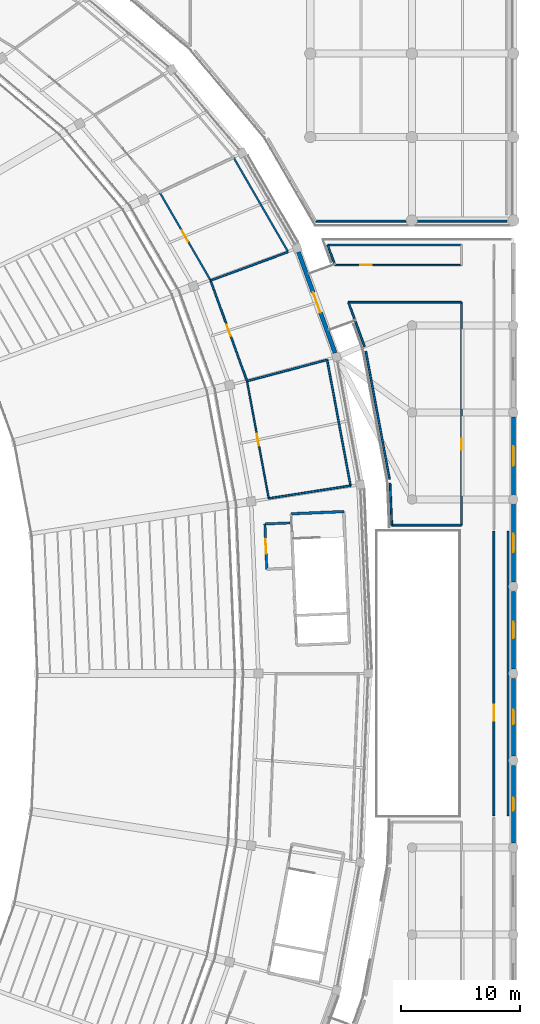
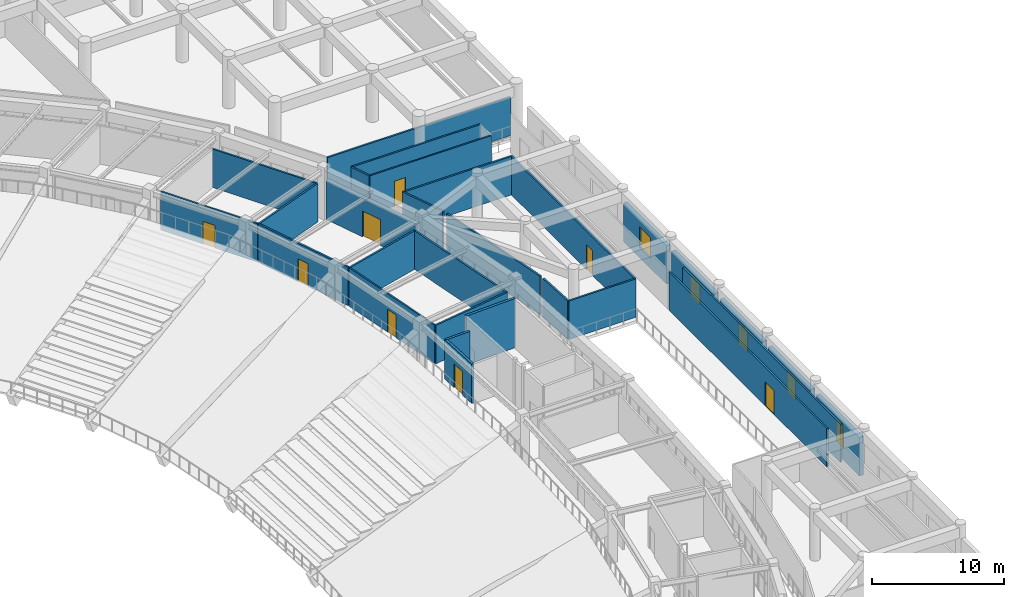
# One storey, part 100 of 137: 29 walls, 8 doors, 5 windows, 13 openings.
"""IFC4 building model written with IfcOpenShell, lengths in metres."""

from ifc_helpers import new_model, si_unit, direction, frame, frame_2d, origin, place, context, subcontext, project, spatial, rectangle, extrude, material, layer, layer_set, type_object, element, fill, save


model = new_model("IFC4")

# Units and contexts
model_context = context("Model", 3, precision=1e-05, world=origin(), true_north=direction((0.0, 1.0)))
body_context = subcontext(model_context, "Body", "Model", "MODEL_VIEW")
ifc_project = project(units=[si_unit("LENGTHUNIT", "METRE"), si_unit("AREAUNIT", "SQUARE_METRE"), si_unit("VOLUMEUNIT", "CUBIC_METRE"), si_unit("PLANEANGLEUNIT", "RADIAN"), si_unit("MASSUNIT", "GRAM", prefix="KILO")], contexts=[model_context])

# Site, building, storey
site_placement = place(None, origin())
site = spatial("IfcSite", under=ifc_project, at=site_placement, CompositionType="ELEMENT")
building_placement = place(site_placement, origin())
building = spatial("IfcBuilding", under=site, at=building_placement, Name="Mphavela Belvedere Stadium", CompositionType="ELEMENT")
storey_placement = place(building_placement, frame((0.0, 0.0, 19.199951171875)))
storey = spatial("IfcBuildingStorey", under=building, at=storey_placement, Name="L04", CompositionType="ELEMENT", Elevation=19.199951171875)

# Wall
ifc_material_1 = material(Name="Concrete C40/50", Category="concrete")
ifc_layer_1 = layer(ifc_material_1, 0.219970703125)
ifc_layer_set_1 = layer_set([ifc_layer_1], Name="Concrete C40/50")
wall_type_1 = type_object("IfcWallType", Name="WAL-CORE-SHEAR-220", PredefinedType="SHEAR", material=ifc_layer_set_1)
wall_1_placement = place(storey_placement, frame((211.365478515625, 100.400390625, 0.0), z_axis=(0.0, 0.0, 1.0), x_axis=(0.999121521721, 0.041906859039, 0.0)))
element("IfcWall", 1, at=wall_1_placement, inside=storey, type_object=wall_type_1, Name="Core C01 shear wall L04 left", PredefinedType="SHEAR", context=body_context, shape_type="SweptSolid", body=[
    extrude(rectangle(XDim=4.41015625, YDim=0.219970703125, at=frame_2d((2.205078125, 0.0))), origin(), (0.0, 0.0, 1.0), 4.550048828125),
])

# Wall, opening, door
ifc_material_2 = material(Name="Honed ashlar limestone masonry", Category="masonry")
ifc_layer_2 = layer(ifc_material_2, 0.35009765625)
ifc_layer_set_2 = layer_set([ifc_layer_2], Name="Honed ashlar limestone masonry")
wall_type_2 = type_object("IfcWallType", Name="WAL-EXT-ASHLAR-350", PredefinedType="STANDARD", material=ifc_layer_set_2)
wall_2_placement = place(storey_placement, frame((211.974853515625, 122.355224609375, 0.0), z_axis=(0.0, 0.0, 1.0), x_axis=(0.341022457694, -0.9400551491, 0.0)))
wall_2 = element("IfcWall", 2, at=wall_2_placement, inside=storey, type_object=wall_type_2, Name="Classical link portal wall L04-03", PredefinedType="STANDARD", context=body_context, shape_type="SweptSolid", body=[
    extrude(rectangle(XDim=9.00537109375, YDim=0.35009765625, at=frame_2d((4.502685546875, 0.0))), origin(), (0.0, 0.0, 1.0), 3.570068359375),
])
opening_1_placement = place(wall_2_placement, frame((3.602783203125, 0.0, 0.0)))
opening_1 = element("IfcOpeningElement", 3, at=opening_1_placement, cuts=wall_2, Name="Opening ID-9402", PredefinedType="OPENING", context=body_context, shape_type="SweptSolid", body=[
    extrude(rectangle(XDim=1.800048828125, YDim=2.39990234375, at=frame_2d((0.89990234375, 1.199951171875))), frame((0.0, 0.18505859375, 0.0), z_axis=(0.0, -1.0, 0.0), x_axis=(1.0, 0.0, 0.0)), (0.0, 0.0, 1.0), 0.3701171875),
])
ifc_material_3 = material(Name="Glazed bronze-anodised steel exit doorset", Category="steel")
door_type_1 = type_object("IfcDoorType", Name="DR-EXT-01", OperationType="NOTDEFINED", PredefinedType="DOOR", material=ifc_material_3)
door_1_placement = place(opening_1_placement, origin())
door_1 = element("IfcDoor", 4, at=door_1_placement, inside=storey, type_object=door_type_1, Name="Wing promenade link doorset L04-03", OperationType="DOUBLE_DOOR_SINGLE_SWING", OverallHeight=2.39990234375, OverallWidth=1.800048828125, PredefinedType="DOOR", context=body_context, shape_type="SweptSolid", body=[
    extrude(rectangle(XDim=1.800048828125, YDim=2.39990234375, at=frame_2d((0.89990234375, 1.199951171875))), frame((0.0, 0.02490234375, 0.0), z_axis=(0.0, -1.0, 0.0), x_axis=(1.0, 0.0, 0.0)), (0.0, 0.0, 1.0), 0.050048828125),
])
fill(opening_1, door_1)

# Wall, opening, window
wall_3_placement = place(storey_placement, frame((230.0, 79.302001953125, 0.0), z_axis=(0.0, 0.0, 1.0), x_axis=(0.0, -1.0, 0.0)))
wall_3 = element("IfcWall", 5, at=wall_3_placement, inside=storey, type_object=wall_type_2, Name="East Planted Eaves Peristyle Colonnade outer facade bay L04-04", PredefinedType="STANDARD", context=body_context, shape_type="SweptSolid", body=[
    extrude(rectangle(XDim=6.50390625, YDim=0.35009765625, at=frame_2d((3.251953125, 0.0))), origin(), (0.0, 0.0, 1.0), 3.56005859375),
])
opening_2_placement = place(wall_3_placement, frame((2.701904296875, 0.0, 0.89990234375)))
opening_2 = element("IfcOpeningElement", 6, at=opening_2_placement, cuts=wall_3, Name="Opening W-331", PredefinedType="OPENING", context=body_context, shape_type="SweptSolid", body=[
    extrude(rectangle(XDim=1.10009765625, YDim=1.949951171875, at=frame_2d((0.550048828125, 0.97509765625))), frame((0.0, 0.18505859375, 0.0), z_axis=(0.0, -1.0, 0.0), x_axis=(1.0, 0.0, 0.0)), (0.0, 0.0, 1.0), 0.3701171875),
])
ifc_material_4 = material(Name="Bronze-anodised thermally broken aluminium window", Category="aluminium")
window_type_1 = type_object("IfcWindowType", Name="WIN-EXT-23", PartitioningType="SINGLE_PANEL", PredefinedType="WINDOW", material=ifc_material_4)
window_1_placement = place(opening_2_placement, origin())
window_1 = element("IfcWindow", 7, at=window_1_placement, inside=storey, type_object=window_type_1, Name="East Planted Eaves Peristyle Colonnade classical window W-331", OverallHeight=1.949951171875, OverallWidth=1.10009765625, PartitioningType="SINGLE_PANEL", PredefinedType="WINDOW", context=body_context, shape_type="SweptSolid", body=[
    extrude(rectangle(XDim=1.10009765625, YDim=1.949951171875, at=frame_2d((0.550048828125, 0.97509765625))), frame((0.0, 0.030029296875, 0.0), z_axis=(0.0, -1.0, 0.0), x_axis=(1.0, 0.0, 0.0)), (0.0, 0.0, 1.0), 0.06005859375),
])
fill(opening_2, window_1)

wall_4_placement = place(storey_placement, frame((230.0, 86.60205078125, 0.0), z_axis=(0.0, 0.0, 1.0), x_axis=(0.0, -1.0, 0.0)))
wall_4 = element("IfcWall", 8, at=wall_4_placement, inside=storey, type_object=wall_type_2, Name="East Planted Eaves Peristyle Colonnade outer facade bay L04-05", PredefinedType="STANDARD", context=body_context, shape_type="SweptSolid", body=[
    extrude(rectangle(XDim=6.504150390625, YDim=0.35009765625, at=frame_2d((3.251953125, 0.0))), origin(), (0.0, 0.0, 1.0), 3.56005859375),
])
opening_3_placement = place(wall_4_placement, frame((2.632080078125, 0.0, 0.89990234375)))
opening_3 = element("IfcOpeningElement", 9, at=opening_3_placement, cuts=wall_4, Name="Opening W-332", PredefinedType="OPENING", context=body_context, shape_type="SweptSolid", body=[
    extrude(rectangle(XDim=1.239990234375, YDim=1.949951171875, at=frame_2d((0.6201171875, 0.97509765625))), frame((0.0, 0.18505859375, 0.0), z_axis=(0.0, -1.0, 0.0), x_axis=(1.0, 0.0, 0.0)), (0.0, 0.0, 1.0), 0.3701171875),
])
ifc_material_5 = material(Name="Bronze-anodised thermally broken aluminium window", Category="aluminium")
window_type_2 = type_object("IfcWindowType", Name="WIN-EXT-24", PartitioningType="SINGLE_PANEL", PredefinedType="WINDOW", material=ifc_material_5)
window_2_placement = place(opening_3_placement, origin())
window_2 = element("IfcWindow", 10, at=window_2_placement, inside=storey, type_object=window_type_2, Name="East Planted Eaves Peristyle Colonnade classical window W-332", OverallHeight=1.949951171875, OverallWidth=1.239990234375, PartitioningType="SINGLE_PANEL", PredefinedType="WINDOW", context=body_context, shape_type="SweptSolid", body=[
    extrude(rectangle(XDim=1.239990234375, YDim=1.949951171875, at=frame_2d((0.6201171875, 0.97509765625))), frame((0.0, 0.030029296875, 0.0), z_axis=(0.0, -1.0, 0.0), x_axis=(1.0, 0.0, 0.0)), (0.0, 0.0, 1.0), 0.06005859375),
])
fill(opening_3, window_2)

wall_5_placement = place(storey_placement, frame((230.0, 93.902099609375, 0.0), z_axis=(0.0, 0.0, 1.0), x_axis=(0.0, -1.0, 0.0)))
wall_5 = element("IfcWall", 11, at=wall_5_placement, inside=storey, type_object=wall_type_2, Name="East Planted Eaves Peristyle Colonnade outer facade bay L04-06", PredefinedType="STANDARD", context=body_context, shape_type="SweptSolid", body=[
    extrude(rectangle(XDim=6.504150390625, YDim=0.35009765625, at=frame_2d((3.251953125, 0.0))), origin(), (0.0, 0.0, 1.0), 3.56005859375),
])
opening_4_placement = place(wall_5_placement, frame((2.56201171875, 0.0, 0.89990234375)))
opening_4 = element("IfcOpeningElement", 12, at=opening_4_placement, cuts=wall_5, Name="Opening W-333", PredefinedType="OPENING", context=body_context, shape_type="SweptSolid", body=[
    extrude(rectangle(XDim=1.3798828125, YDim=1.949951171875, at=frame_2d((0.68994140625, 0.97509765625))), frame((0.0, 0.18505859375, 0.0), z_axis=(0.0, -1.0, 0.0), x_axis=(1.0, 0.0, 0.0)), (0.0, 0.0, 1.0), 0.3701171875),
])
ifc_material_6 = material(Name="Bronze-anodised thermally broken aluminium window", Category="aluminium")
window_type_3 = type_object("IfcWindowType", Name="WIN-EXT-25", PartitioningType="SINGLE_PANEL", PredefinedType="WINDOW", material=ifc_material_6)
window_3_placement = place(opening_4_placement, origin())
window_3 = element("IfcWindow", 13, at=window_3_placement, inside=storey, type_object=window_type_3, Name="East Planted Eaves Peristyle Colonnade classical window W-333", OverallHeight=1.949951171875, OverallWidth=1.3798828125, PartitioningType="SINGLE_PANEL", PredefinedType="WINDOW", context=body_context, shape_type="SweptSolid", body=[
    extrude(rectangle(XDim=1.3798828125, YDim=1.949951171875, at=frame_2d((0.68994140625, 0.97509765625))), frame((0.0, 0.030029296875, 0.0), z_axis=(0.0, -1.0, 0.0), x_axis=(1.0, 0.0, 0.0)), (0.0, 0.0, 1.0), 0.06005859375),
])
fill(opening_4, window_3)

wall_6_placement = place(storey_placement, frame((230.0, 101.201904296875, 0.0), z_axis=(0.0, 0.0, 1.0), x_axis=(0.0, -1.0, 0.0)))
wall_6 = element("IfcWall", 14, at=wall_6_placement, inside=storey, type_object=wall_type_2, Name="East Planted Eaves Peristyle Colonnade outer facade bay L04-07", PredefinedType="STANDARD", context=body_context, shape_type="SweptSolid", body=[
    extrude(rectangle(XDim=6.50390625, YDim=0.35009765625, at=frame_2d((3.251953125, 0.0))), origin(), (0.0, 0.0, 1.0), 3.56005859375),
])
opening_5_placement = place(wall_6_placement, frame((2.491943359375, 0.0, 0.89990234375)))
opening_5 = element("IfcOpeningElement", 15, at=opening_5_placement, cuts=wall_6, Name="Opening W-334", PredefinedType="OPENING", context=body_context, shape_type="SweptSolid", body=[
    extrude(rectangle(XDim=1.52001953125, YDim=1.949951171875, at=frame_2d((0.760009765625, 0.97509765625))), frame((0.0, 0.18505859375, 0.0), z_axis=(0.0, -1.0, 0.0), x_axis=(1.0, 0.0, 0.0)), (0.0, 0.0, 1.0), 0.3701171875),
])
ifc_material_7 = material(Name="Bronze-anodised thermally broken aluminium window", Category="aluminium")
window_type_4 = type_object("IfcWindowType", Name="WIN-EXT-26", PartitioningType="SINGLE_PANEL", PredefinedType="WINDOW", material=ifc_material_7)
window_4_placement = place(opening_5_placement, origin())
window_4 = element("IfcWindow", 16, at=window_4_placement, inside=storey, type_object=window_type_4, Name="East Planted Eaves Peristyle Colonnade classical window W-334", OverallHeight=1.949951171875, OverallWidth=1.52001953125, PartitioningType="SINGLE_PANEL", PredefinedType="WINDOW", context=body_context, shape_type="SweptSolid", body=[
    extrude(rectangle(XDim=1.52001953125, YDim=1.949951171875, at=frame_2d((0.760009765625, 0.97509765625))), frame((0.0, 0.030029296875, 0.0), z_axis=(0.0, -1.0, 0.0), x_axis=(1.0, 0.0, 0.0)), (0.0, 0.0, 1.0), 0.06005859375),
])
fill(opening_5, window_4)

wall_7_placement = place(storey_placement, frame((230.0, 108.501953125, 0.0), z_axis=(0.0, 0.0, 1.0), x_axis=(0.0, -1.0, 0.0)))
wall_7 = element("IfcWall", 17, at=wall_7_placement, inside=storey, type_object=wall_type_2, Name="East Planted Eaves Peristyle Colonnade outer facade bay L04-08", PredefinedType="STANDARD", context=body_context, shape_type="SweptSolid", body=[
    extrude(rectangle(XDim=6.50390625, YDim=0.35009765625, at=frame_2d((3.251953125, 0.0))), origin(), (0.0, 0.0, 1.0), 3.56005859375),
])
opening_6_placement = place(wall_7_placement, frame((2.422119140625, 0.0, 0.89990234375)))
opening_6 = element("IfcOpeningElement", 18, at=opening_6_placement, cuts=wall_7, Name="Opening W-335", PredefinedType="OPENING", context=body_context, shape_type="SweptSolid", body=[
    extrude(rectangle(XDim=1.659912109375, YDim=1.949951171875, at=frame_2d((0.830078125, 0.97509765625))), frame((0.0, 0.18505859375, 0.0), z_axis=(0.0, -1.0, 0.0), x_axis=(1.0, 0.0, 0.0)), (0.0, 0.0, 1.0), 0.3701171875),
])
ifc_material_8 = material(Name="Bronze-anodised thermally broken aluminium window", Category="aluminium")
window_type_5 = type_object("IfcWindowType", Name="WIN-EXT-27", PartitioningType="SINGLE_PANEL", PredefinedType="WINDOW", material=ifc_material_8)
window_5_placement = place(opening_6_placement, origin())
window_5 = element("IfcWindow", 19, at=window_5_placement, inside=storey, type_object=window_type_5, Name="East Planted Eaves Peristyle Colonnade classical window W-335", OverallHeight=1.949951171875, OverallWidth=1.659912109375, PartitioningType="SINGLE_PANEL", PredefinedType="WINDOW", context=body_context, shape_type="SweptSolid", body=[
    extrude(rectangle(XDim=1.659912109375, YDim=1.949951171875, at=frame_2d((0.830078125, 0.97509765625))), frame((0.0, 0.030029296875, 0.0), z_axis=(0.0, -1.0, 0.0), x_axis=(1.0, 0.0, 0.0)), (0.0, 0.0, 1.0), 0.06005859375),
])
fill(opening_6, window_5)

# Wall, opening, door
ifc_material_9 = material(Name="Moisture-resistant sanitary partition assembly")
ifc_layer_3 = layer(ifc_material_9, 0.125)
ifc_layer_set_3 = layer_set([ifc_layer_3], Name="Moisture-resistant sanitary partition assembly")
wall_type_3 = type_object("IfcWallType", Name="WAL-PART-125", PredefinedType="PARTITIONING", material=ifc_layer_set_3)
wall_8_placement = place(storey_placement, frame((209.477783203125, 101.694580078125, 0.0), z_axis=(0.0, 0.0, 1.0), x_axis=(-0.18262590076, 0.983182475623, 0.0)))
wall_8 = element("IfcWall", 20, at=wall_8_placement, inside=storey, type_object=wall_type_3, Name="Room L04-35 corridor partition", PredefinedType="PARTITIONING", context=body_context, shape_type="SweptSolid", body=[
    extrude(rectangle(XDim=10.002197265625, YDim=0.125, at=frame_2d((5.0009765625, 0.0))), origin(), (0.0, 0.0, 1.0), 3.550048828125),
])
opening_7_placement = place(wall_8_placement, frame((4.510986328125, 0.0, 0.0)))
opening_7 = element("IfcOpeningElement", 21, at=opening_7_placement, cuts=wall_8, Name="Opening ID-327", PredefinedType="OPENING", context=body_context, shape_type="SweptSolid", body=[
    extrude(rectangle(XDim=0.97998046875, YDim=2.10009765625, at=frame_2d((0.489990234375, 1.050048828125))), frame((0.0, 0.072509765625, 0.0), z_axis=(0.0, -1.0, 0.0), x_axis=(1.0, 0.0, 0.0)), (0.0, 0.0, 1.0), 0.14501953125),
])
ifc_material_10 = material(Name="Hardwood acoustic timber doorset", Category="wood")
door_type_2 = type_object("IfcDoorType", Name="DR-INT-03", OperationType="NOTDEFINED", PredefinedType="DOOR", material=ifc_material_10)
door_2_placement = place(opening_7_placement, origin())
door_2 = element("IfcDoor", 22, at=door_2_placement, inside=storey, type_object=door_type_2, Name="Room L04-35 entrance door ID-327", OperationType="SINGLE_SWING_LEFT", OverallHeight=2.10009765625, OverallWidth=0.97998046875, PredefinedType="DOOR", context=body_context, shape_type="SweptSolid", body=[
    extrude(rectangle(XDim=0.97998046875, YDim=2.10009765625, at=frame_2d((0.489990234375, 1.050048828125))), frame((0.0, 0.02490234375, 0.0), z_axis=(0.0, -1.0, 0.0), x_axis=(1.0, 0.0, 0.0)), (0.0, 0.0, 1.0), 0.050048828125),
])
fill(opening_7, door_2)

wall_9_placement = place(storey_placement, frame((225.639892578125, 121.260009765625, 0.0), z_axis=(0.0, 0.0, 1.0), x_axis=(-1.0, 0.0, 0.0)))
wall_9 = element("IfcWall", 23, at=wall_9_placement, inside=storey, type_object=wall_type_3, Name="Room L04-144 corridor partition", PredefinedType="PARTITIONING", context=body_context, shape_type="SweptSolid", body=[
    extrude(rectangle(XDim=10.6083984375, YDim=0.125, at=frame_2d((5.30419921875, 0.0))), origin(), (0.0, 0.0, 1.0), 3.550048828125),
])
opening_8_placement = place(wall_9_placement, frame((7.5107421875, 0.0, 0.0)))
opening_8 = element("IfcOpeningElement", 24, at=opening_8_placement, cuts=wall_9, Name="Opening ID-567", PredefinedType="OPENING", context=body_context, shape_type="SweptSolid", body=[
    extrude(rectangle(XDim=0.97998046875, YDim=2.300048828125, at=frame_2d((0.489990234375, 1.14990234375))), frame((0.0, 0.072509765625, 0.0), z_axis=(0.0, -1.0, 0.0), x_axis=(1.0, 0.0, 0.0)), (0.0, 0.0, 1.0), 0.14501953125),
])
ifc_material_11 = material(Name="Hardwood acoustic timber doorset", Category="wood")
door_type_3 = type_object("IfcDoorType", Name="DR-INT-27", OperationType="NOTDEFINED", PredefinedType="DOOR", material=ifc_material_11)
door_3_placement = place(opening_8_placement, origin())
door_3 = element("IfcDoor", 25, at=door_3_placement, inside=storey, type_object=door_type_3, Name="Room L04-144 entrance door ID-567", OperationType="SINGLE_SWING_LEFT", OverallHeight=2.300048828125, OverallWidth=0.97998046875, PredefinedType="DOOR", context=body_context, shape_type="SweptSolid", body=[
    extrude(rectangle(XDim=0.97998046875, YDim=2.300048828125, at=frame_2d((0.489990234375, 1.14990234375))), frame((0.0, 0.02490234375, 0.0), z_axis=(0.0, -1.0, 0.0), x_axis=(1.0, 0.0, 0.0)), (0.0, 0.0, 1.0), 0.050048828125),
])
fill(opening_8, door_3)

ifc_material_12 = material(Name="Acoustic gypsum stud partition assembly")
ifc_layer_4 = layer(ifc_material_12, 0.14990234375)
ifc_layer_set_4 = layer_set([ifc_layer_4], Name="Acoustic gypsum stud partition assembly")
wall_type_4 = type_object("IfcWallType", Name="WAL-PART-150", PredefinedType="PARTITIONING", material=ifc_layer_set_4)
wall_10_placement = place(storey_placement, frame((207.630126953125, 111.605712890625, 0.0), z_axis=(0.0, 0.0, 1.0), x_axis=(-0.341024369151, 0.940054455681, 0.0)))
wall_10 = element("IfcWall", 26, at=wall_10_placement, inside=storey, type_object=wall_type_4, Name="Room L04-37 corridor partition", PredefinedType="PARTITIONING", context=body_context, shape_type="SweptSolid", body=[
    extrude(rectangle(XDim=8.89306640625, YDim=0.14990234375, at=frame_2d((4.446533203125, 0.0))), origin(), (0.0, 0.0, 1.0), 3.550048828125),
])
opening_9_placement = place(wall_10_placement, frame((3.936279296875, 0.0, 0.0)))
opening_9 = element("IfcOpeningElement", 27, at=opening_9_placement, cuts=wall_10, Name="Opening ID-328", PredefinedType="OPENING", context=body_context, shape_type="SweptSolid", body=[
    extrude(rectangle(XDim=1.02001953125, YDim=2.10009765625, at=frame_2d((0.510009765625, 1.050048828125))), frame((0.0, 0.0849609375, 0.0), z_axis=(0.0, -1.0, 0.0), x_axis=(1.0, 0.0, 0.0)), (0.0, 0.0, 1.0), 0.169921875),
])
ifc_material_13 = material(Name="Hardwood acoustic timber doorset", Category="wood")
door_type_4 = type_object("IfcDoorType", Name="DR-INT-04", OperationType="NOTDEFINED", PredefinedType="DOOR", material=ifc_material_13)
door_4_placement = place(opening_9_placement, origin())
door_4 = element("IfcDoor", 28, at=door_4_placement, inside=storey, type_object=door_type_4, Name="Room L04-37 entrance door ID-328", OperationType="SINGLE_SWING_RIGHT", OverallHeight=2.10009765625, OverallWidth=1.02001953125, PredefinedType="DOOR", context=body_context, shape_type="SweptSolid", body=[
    extrude(rectangle(XDim=1.02001953125, YDim=2.10009765625, at=frame_2d((0.510009765625, 1.050048828125))), frame((0.0, 0.02490234375, 0.0), z_axis=(0.0, -1.0, 0.0), x_axis=(1.0, 0.0, 0.0)), (0.0, 0.0, 1.0), 0.050048828125),
])
fill(opening_9, door_4)

wall_11_placement = place(storey_placement, frame((204.56396484375, 120.03857421875, 0.0), z_axis=(0.0, 0.0, 1.0), x_axis=(-0.500563217362, 0.865699985806, 0.0)))
wall_11 = element("IfcWall", 29, at=wall_11_placement, inside=storey, type_object=wall_type_4, Name="Room L04-39 corridor partition", PredefinedType="PARTITIONING", context=body_context, shape_type="SweptSolid", body=[
    extrude(rectangle(XDim=8.444091796875, YDim=0.14990234375, at=frame_2d((4.22216796875, 0.0))), origin(), (0.0, 0.0, 1.0), 3.550048828125),
])
opening_10_placement = place(wall_11_placement, frame((3.692138671875, 0.0, 0.0)))
opening_10 = element("IfcOpeningElement", 30, at=opening_10_placement, cuts=wall_11, Name="Opening ID-329", PredefinedType="OPENING", context=body_context, shape_type="SweptSolid", body=[
    extrude(rectangle(XDim=1.06005859375, YDim=2.10009765625, at=frame_2d((0.530029296875, 1.050048828125))), frame((0.0, 0.0849609375, 0.0), z_axis=(0.0, -1.0, 0.0), x_axis=(1.0, 0.0, 0.0)), (0.0, 0.0, 1.0), 0.169921875),
])
ifc_material_14 = material(Name="Hardwood acoustic timber doorset", Category="wood")
door_type_5 = type_object("IfcDoorType", Name="DR-INT-05", OperationType="NOTDEFINED", PredefinedType="DOOR", material=ifc_material_14)
door_5_placement = place(opening_10_placement, origin())
door_5 = element("IfcDoor", 31, at=door_5_placement, inside=storey, type_object=door_type_5, Name="Room L04-39 entrance door ID-329", OperationType="SINGLE_SWING_LEFT", OverallHeight=2.10009765625, OverallWidth=1.06005859375, PredefinedType="DOOR", context=body_context, shape_type="SweptSolid", body=[
    extrude(rectangle(XDim=1.06005859375, YDim=2.10009765625, at=frame_2d((0.530029296875, 1.050048828125))), frame((0.0, 0.02490234375, 0.0), z_axis=(0.0, -1.0, 0.0), x_axis=(1.0, 0.0, 0.0)), (0.0, 0.0, 1.0), 0.050048828125),
])
fill(opening_10, door_5)

wall_12_placement = place(storey_placement, frame((228.360107421875, 75.083251953125, 0.0), z_axis=(0.0, 0.0, 1.0), x_axis=(0.0, 1.0, 0.0)))
wall_12 = element("IfcWall", 32, at=wall_12_placement, inside=storey, type_object=wall_type_4, Name="Room L04-140 corridor partition", PredefinedType="PARTITIONING", context=body_context, shape_type="SweptSolid", body=[
    extrude(rectangle(XDim=23.83349609375, YDim=0.14990234375, at=frame_2d((11.916748046875, 0.0))), origin(), (0.0, 0.0, 1.0), 3.550048828125),
])
opening_11_placement = place(wall_12_placement, frame((7.9755859375, 0.0, 0.0)))
opening_11 = element("IfcOpeningElement", 33, at=opening_11_placement, cuts=wall_12, Name="Opening ID-563", PredefinedType="OPENING", context=body_context, shape_type="SweptSolid", body=[
    extrude(rectangle(XDim=1.320068359375, YDim=2.199951171875, at=frame_2d((0.66015625, 1.10009765625))), frame((0.0, 0.0849609375, 0.0), z_axis=(0.0, -1.0, 0.0), x_axis=(1.0, 0.0, 0.0)), (0.0, 0.0, 1.0), 0.169921875),
])
ifc_material_15 = material(Name="Hardwood acoustic timber doorset", Category="wood")
door_type_6 = type_object("IfcDoorType", Name="DR-INT-23", OperationType="NOTDEFINED", PredefinedType="DOOR", material=ifc_material_15)
door_6_placement = place(opening_11_placement, origin())
door_6 = element("IfcDoor", 34, at=door_6_placement, inside=storey, type_object=door_type_6, Name="Room L04-140 entrance door ID-563", OperationType="SINGLE_SWING_LEFT", OverallHeight=2.199951171875, OverallWidth=1.320068359375, PredefinedType="DOOR", context=body_context, shape_type="SweptSolid", body=[
    extrude(rectangle(XDim=1.320068359375, YDim=2.199951171875, at=frame_2d((0.66015625, 1.10009765625))), frame((0.0, 0.02490234375, 0.0), z_axis=(0.0, -1.0, 0.0), x_axis=(1.0, 0.0, 0.0)), (0.0, 0.0, 1.0), 0.050048828125),
])
fill(opening_11, door_6)

wall_13_placement = place(storey_placement, frame((225.639892578125, 118.139892578125, 0.0), z_axis=(0.0, 0.0, 1.0), x_axis=(0.0, -1.0, 0.0)))
wall_13 = element("IfcWall", 35, at=wall_13_placement, inside=storey, type_object=wall_type_4, Name="Room L04-143 corridor partition", PredefinedType="PARTITIONING", context=body_context, shape_type="SweptSolid", body=[
    extrude(rectangle(XDim=18.68994140625, YDim=0.14990234375, at=frame_2d((9.344970703125, 0.0))), origin(), (0.0, 0.0, 1.0), 3.550048828125),
])
opening_12_placement = place(wall_13_placement, frame((11.44140625, 0.0, 0.0)))
opening_12 = element("IfcOpeningElement", 36, at=opening_12_placement, cuts=wall_13, Name="Opening ID-566", PredefinedType="OPENING", context=body_context, shape_type="SweptSolid", body=[
    extrude(rectangle(XDim=0.93994140625, YDim=2.300048828125, at=frame_2d((0.469970703125, 1.14990234375))), frame((0.0, 0.0849609375, 0.0), z_axis=(0.0, -1.0, 0.0), x_axis=(1.0, 0.0, 0.0)), (0.0, 0.0, 1.0), 0.169921875),
])
ifc_material_16 = material(Name="Hardwood acoustic timber doorset", Category="wood")
door_type_7 = type_object("IfcDoorType", Name="DR-INT-26", OperationType="NOTDEFINED", PredefinedType="DOOR", material=ifc_material_16)
door_7_placement = place(opening_12_placement, origin())
door_7 = element("IfcDoor", 37, at=door_7_placement, inside=storey, type_object=door_type_7, Name="Room L04-143 entrance door ID-566", OperationType="SINGLE_SWING_RIGHT", OverallHeight=2.300048828125, OverallWidth=0.93994140625, PredefinedType="DOOR", context=body_context, shape_type="SweptSolid", body=[
    extrude(rectangle(XDim=0.93994140625, YDim=2.300048828125, at=frame_2d((0.469970703125, 1.14990234375))), frame((0.0, 0.02490234375, 0.0), z_axis=(0.0, -1.0, 0.0), x_axis=(1.0, 0.0, 0.0)), (0.0, 0.0, 1.0), 0.050048828125),
])
fill(opening_12, door_7)

# Walls
wall_14_placement = place(storey_placement, frame((207.651123046875, 111.528564453125, 0.0), z_axis=(0.0, 0.0, 1.0), x_axis=(0.966589237908, 0.256330343817, 0.0)))
element("IfcWall", 38, at=wall_14_placement, inside=storey, type_object=wall_type_4, Name="Room divider partition L04-0587", PredefinedType="PARTITIONING", context=body_context, shape_type="SweptSolid", body=[
    extrude(rectangle(XDim=6.95849609375, YDim=0.14990234375, at=frame_2d((3.479248046875, 0.0))), origin(), (0.0, 0.0, 1.0), 3.550048828125),
])
wall_15_placement = place(storey_placement, frame((214.377197265625, 113.312255859375, 0.0), z_axis=(0.0, 0.0, 1.0), x_axis=(0.182612923346, -0.983184886086, 0.0)))
element("IfcWall", 39, at=wall_15_placement, inside=storey, type_object=wall_type_4, Name="Room divider partition L04-0588", PredefinedType="PARTITIONING", context=body_context, shape_type="SweptSolid", body=[
    extrude(rectangle(XDim=10.734130859375, YDim=0.14990234375, at=frame_2d((5.3671875, 0.0))), origin(), (0.0, 0.0, 1.0), 3.550048828125),
])
wall_16_placement = place(storey_placement, frame((216.33740234375, 102.758544921875, 0.0), z_axis=(0.0, 0.0, 1.0), x_axis=(-0.988183916405, -0.153272787404, 0.0)))
element("IfcWall", 40, at=wall_16_placement, inside=storey, type_object=wall_type_4, Name="Room divider partition L04-0589", PredefinedType="PARTITIONING", context=body_context, shape_type="SweptSolid", body=[
    extrude(rectangle(XDim=6.941650390625, YDim=0.14990234375, at=frame_2d((3.470703125, 0.0))), origin(), (0.0, 0.0, 1.0), 3.550048828125),
])
wall_17_placement = place(storey_placement, frame((204.597412109375, 119.965576171875, 0.0), z_axis=(0.0, 0.0, 1.0), x_axis=(0.938351535792, 0.345682506466, 0.0)))
element("IfcWall", 41, at=wall_17_placement, inside=storey, type_object=wall_type_4, Name="Room divider partition L04-0590", PredefinedType="PARTITIONING", context=body_context, shape_type="SweptSolid", body=[
    extrude(rectangle(XDim=6.93115234375, YDim=0.14990234375, at=frame_2d((3.465576171875, 0.0))), origin(), (0.0, 0.0, 1.0), 3.550048828125),
])
wall_18_placement = place(storey_placement, frame((206.530029296875, 130.280029296875, 0.0), z_axis=(0.0, 0.0, 1.0), x_axis=(0.500559416643, -0.865702183438, 0.0)))
element("IfcWall", 42, at=wall_18_placement, inside=storey, type_object=wall_type_4, Name="Room divider partition L04-0592", PredefinedType="PARTITIONING", context=body_context, shape_type="SweptSolid", body=[
    extrude(rectangle(XDim=9.06298828125, YDim=0.14990234375, at=frame_2d((4.531494140625, 0.0))), origin(), (0.0, 0.0, 1.0), 3.550048828125),
])
wall_19_placement = place(storey_placement, frame((229.449951171875, 124.949951171875, 0.0), z_axis=(0.0, 0.0, 1.0), x_axis=(-1.0, 0.0, 0.0)))
element("IfcWall", 43, at=wall_19_placement, inside=storey, type_object=wall_type_4, Name="Room divider partition L04-1114", PredefinedType="PARTITIONING", context=body_context, shape_type="SweptSolid", body=[
    extrude(rectangle(XDim=16.017333984375, YDim=0.14990234375, at=frame_2d((8.0087890625, 0.0))), origin(), (0.0, 0.0, 1.0), 3.550048828125),
])
wall_20_placement = place(storey_placement, frame((229.550048828125, 98.916748046875, 0.0), z_axis=(0.0, 0.0, 1.0), x_axis=(0.0, -1.0, 0.0)))
element("IfcWall", 44, at=wall_20_placement, inside=storey, type_object=wall_type_4, Name="Room divider partition L04-1288", PredefinedType="PARTITIONING", context=body_context, shape_type="SweptSolid", body=[
    extrude(rectangle(XDim=23.83349609375, YDim=0.14990234375, at=frame_2d((11.916748046875, 0.0))), origin(), (0.0, 0.0, 1.0), 3.550048828125),
])
wall_21_placement = place(storey_placement, frame((219.61328125, 103.301513671875, 0.0), z_axis=(0.0, 0.0, 1.0), x_axis=(-0.182620957058, 0.983183393901, 0.0)))
element("IfcWall", 45, at=wall_21_placement, inside=storey, type_object=wall_type_4, Name="Room divider partition L04-1294", PredefinedType="PARTITIONING", context=body_context, shape_type="SweptSolid", body=[
    extrude(rectangle(XDim=10.90087890625, YDim=0.14990234375, at=frame_2d((5.450439453125, 0.0))), origin(), (0.0, 0.0, 1.0), 3.550048828125),
])
wall_22_placement = place(storey_placement, frame((217.5146484375, 114.4150390625, 0.0), z_axis=(0.0, 0.0, 1.0), x_axis=(-0.341035525383, 0.94005040845, 0.0)))
element("IfcWall", 46, at=wall_22_placement, inside=storey, type_object=wall_type_4, Name="Room divider partition L04-1295", PredefinedType="PARTITIONING", context=body_context, shape_type="SweptSolid", body=[
    extrude(rectangle(XDim=3.96240234375, YDim=0.14990234375, at=frame_2d((1.981201171875, 0.0))), origin(), (0.0, 0.0, 1.0), 3.550048828125),
])
wall_23_placement = place(storey_placement, frame((216.163330078125, 118.139892578125, 0.0), z_axis=(0.0, 0.0, 1.0), x_axis=(1.0, 0.0, 0.0)))
element("IfcWall", 47, at=wall_23_placement, inside=storey, type_object=wall_type_4, Name="Room divider partition L04-1296", PredefinedType="PARTITIONING", context=body_context, shape_type="SweptSolid", body=[
    extrude(rectangle(XDim=9.4765625, YDim=0.14990234375, at=frame_2d((4.73828125, 0.0))), origin(), (0.0, 0.0, 1.0), 3.550048828125),
])
wall_24_placement = place(storey_placement, frame((225.639892578125, 99.449951171875, 0.0), z_axis=(0.0, 0.0, 1.0), x_axis=(-1.0, 0.0, 0.0)))
element("IfcWall", 48, at=wall_24_placement, inside=storey, type_object=wall_type_4, Name="Room divider partition L04-1297", PredefinedType="PARTITIONING", context=body_context, shape_type="SweptSolid", body=[
    extrude(rectangle(XDim=5.83984375, YDim=0.14990234375, at=frame_2d((2.919921875, 0.0))), origin(), (0.0, 0.0, 1.0), 3.550048828125),
])
wall_25_placement = place(storey_placement, frame((219.800048828125, 99.449951171875, 0.0), z_axis=(0.0, 0.0, 1.0), x_axis=(-0.041888559174, 0.999122289117, 0.0)))
element("IfcWall", 49, at=wall_25_placement, inside=storey, type_object=wall_type_4, Name="Room divider partition L04-1298", PredefinedType="PARTITIONING", context=body_context, shape_type="SweptSolid", body=[
    extrude(rectangle(XDim=3.5029296875, YDim=0.14990234375, at=frame_2d((1.75146484375, 0.0))), origin(), (0.0, 0.0, 1.0), 3.550048828125),
])
wall_26_placement = place(storey_placement, frame((215.031494140625, 121.260009765625, 0.0), z_axis=(0.0, 0.0, 1.0), x_axis=(-0.341012375502, 0.940058806541, 0.0)))
element("IfcWall", 50, at=wall_26_placement, inside=storey, type_object=wall_type_4, Name="Room divider partition L04-1299", PredefinedType="PARTITIONING", context=body_context, shape_type="SweptSolid", body=[
    extrude(rectangle(XDim=1.797607421875, YDim=0.14990234375, at=frame_2d((0.89892578125, 0.0))), origin(), (0.0, 0.0, 1.0), 3.550048828125),
])
wall_27_placement = place(storey_placement, frame((214.41845703125, 122.949951171875, 0.0), z_axis=(0.0, 0.0, 1.0), x_axis=(1.0, 0.0, 0.0)))
element("IfcWall", 51, at=wall_27_placement, inside=storey, type_object=wall_type_4, Name="Room divider partition L04-1300", PredefinedType="PARTITIONING", context=body_context, shape_type="SweptSolid", body=[
    extrude(rectangle(XDim=11.221435546875, YDim=0.14990234375, at=frame_2d((5.61083984375, 0.0))), origin(), (0.0, 0.0, 1.0), 3.550048828125),
])

# Wall, opening, door
ifc_material_17 = material(Name="Fire-rated calcium silicate partition assembly")
ifc_layer_5 = layer(ifc_material_17, 0.199951171875)
ifc_layer_set_5 = layer_set([ifc_layer_5], Name="Fire-rated calcium silicate partition assembly")
wall_type_5 = type_object("IfcWallType", Name="WAL-PART-FF-200", PredefinedType="PARTITIONING", material=ifc_layer_set_5)
wall_28_placement = place(storey_placement, frame((209.154296875, 99.547119140625, 0.0), z_axis=(0.0, 0.0, 1.0), x_axis=(0.041889762691, -0.999122238658, 0.0)))
wall_28 = element("IfcWall", 52, at=wall_28_placement, inside=storey, type_object=wall_type_5, Name="Firefighting lobby front wall C01 L04", PredefinedType="PARTITIONING", context=body_context, shape_type="SweptSolid", body=[
    extrude(rectangle(XDim=3.800048828125, YDim=0.199951171875, at=frame_2d((1.89990234375, 0.0))), origin(), (0.0, 0.0, 1.0), 3.650146484375),
])
opening_13_placement = place(wall_28_placement, frame((1.300048828125, 0.0, 0.0)))
opening_13 = element("IfcOpeningElement", 53, at=opening_13_placement, cuts=wall_28, Name="Opening FD-005", PredefinedType="OPENING", context=body_context, shape_type="SweptSolid", body=[
    extrude(rectangle(XDim=1.199951171875, YDim=2.179931640625, at=frame_2d((0.60009765625, 1.08984375))), frame((0.0, 0.10986328125, 0.0), z_axis=(0.0, -1.0, 0.0), x_axis=(1.0, 0.0, 0.0)), (0.0, 0.0, 1.0), 0.219970703125),
])
ifc_material_18 = material(Name="Steel smoke-sealed firefighting lobby doorset", Category="steel")
door_type_8 = type_object("IfcDoorType", Name="DR-FF-LOBBY-1200", OperationType="NOTDEFINED", PredefinedType="DOOR", material=ifc_material_18)
door_8_placement = place(opening_13_placement, origin())
door_8 = element("IfcDoor", 54, at=door_8_placement, inside=storey, type_object=door_type_8, Name="Firefighting lobby door C01 L04", OperationType="SINGLE_SWING_RIGHT", OverallHeight=2.179931640625, OverallWidth=1.199951171875, PredefinedType="DOOR", context=body_context, shape_type="SweptSolid", body=[
    extrude(rectangle(XDim=1.199951171875, YDim=2.179931640625, at=frame_2d((0.60009765625, 1.08984375))), frame((0.0, 0.02490234375, 0.0), z_axis=(0.0, -1.0, 0.0), x_axis=(1.0, 0.0, 0.0)), (0.0, 0.0, 1.0), 0.050048828125),
])
fill(opening_13, door_8)

# Wall
wall_29_placement = place(storey_placement, frame((209.154296875, 99.547119140625, 0.0), z_axis=(0.0, 0.0, 1.0), x_axis=(0.999121056799, 0.041917941987, 0.0)))
element("IfcWall", 55, at=wall_29_placement, inside=storey, type_object=wall_type_5, Name="Firefighting lobby side wall L C01 L04", PredefinedType="PARTITIONING", context=body_context, shape_type="SweptSolid", body=[
    extrude(rectangle(XDim=2.1201171875, YDim=0.199951171875, at=frame_2d((1.06005859375, 0.0))), origin(), (0.0, 0.0, 1.0), 3.650146484375),
])

save(model, "model.ifc")
